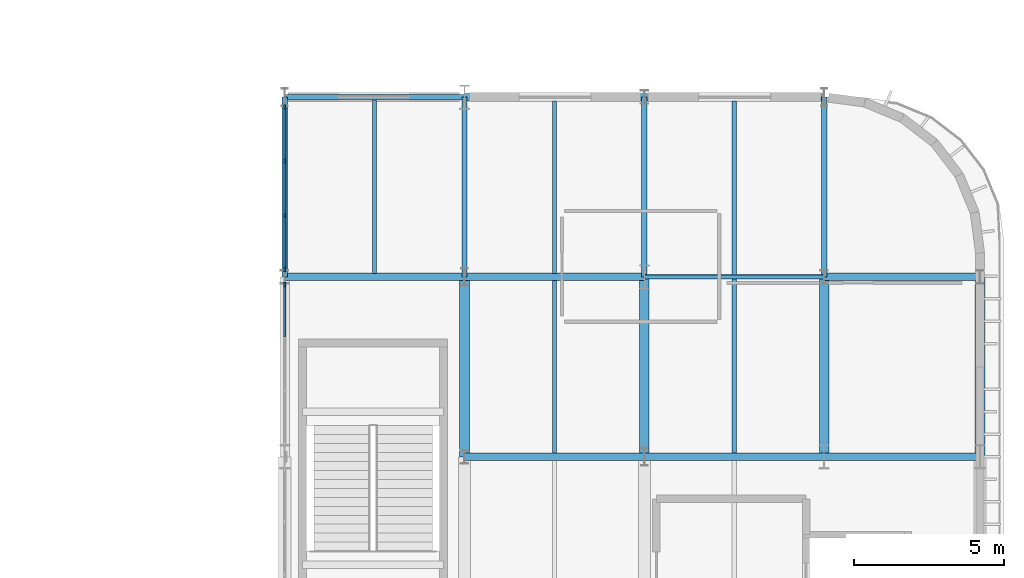
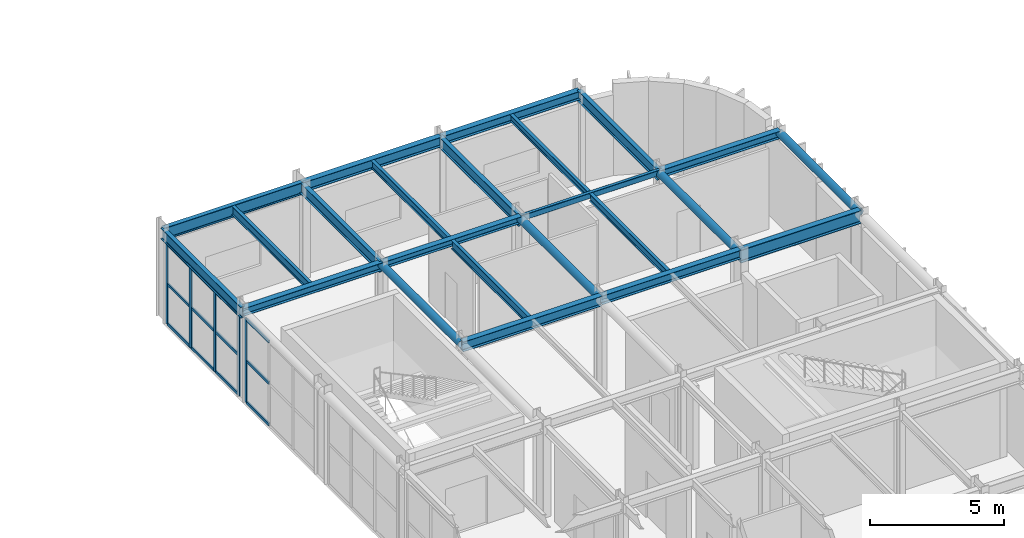
# One storey, part 44 of 84: 23 beams, 17 members, 2 elements without a shape of their own.
"""IFC4 building model written with IfcOpenShell, lengths in metres."""

from ifc_helpers import new_model, si_unit, direction, frame, origin, origin_2d, place, context, subcontext, project, spatial, rectangle, hollow_rectangle, hollow_circle, i_section, extrude, material, material_profile, profile_set, type_object, element, aggregate, save


model = new_model("IFC4")

# Units and contexts
model_context = context("Model", 3, precision=1e-05, world=origin(), true_north=direction((0.0, 1.0)))
body_context = subcontext(model_context, "Body", "Model", "MODEL_VIEW")
ifc_project = project(units=[si_unit("LENGTHUNIT", "METRE"), si_unit("AREAUNIT", "SQUARE_METRE"), si_unit("VOLUMEUNIT", "CUBIC_METRE"), si_unit("PLANEANGLEUNIT", "RADIAN"), si_unit("MASSUNIT", "GRAM", prefix="KILO")], contexts=[model_context])

# Site, building, storey
site_placement = place(None, origin())
site = spatial("IfcSite", under=ifc_project, at=site_placement, CompositionType="ELEMENT")
building_placement = place(site_placement, origin())
building = spatial("IfcBuilding", under=site, at=building_placement, Name="Varnakota Square Police Headquarters", CompositionType="ELEMENT")
storey_placement = place(building_placement, frame((0.0, 0.0, 13.5)))
storey = spatial("IfcBuildingStorey", under=building, at=storey_placement, Name="L03", CompositionType="ELEMENT", Elevation=13.5)

# Beams
ifc_material_1 = material(Name="Steel IS 2062 Grade 350", Category="steel")
ifc_material_profile_1 = material_profile(ifc_material_1, hollow_circle(Radius=0.161865234375, WallThickness=0.0126953125, at=origin_2d()), Name="CHS 323.9x12.7")
ifc_profile_set_1 = profile_set([ifc_material_profile_1], Name="Steel IS 2062 Grade 350")
beam_type_1 = type_object("IfcBeamType", Name="BM-ARC-CHS324", PredefinedType="BEAM", material=ifc_profile_set_1)
for number, where, z_axis, x_axis, name in (
    (1, (144.0, 33.0, 4.0380859375), (0.0, 1.0, 0.0), (-1.0, 0.0, 0.0), "BMG-L03-2732"),
    (2, (150.0, 33.0, 4.0380859375), (0.0, 1.0, 0.0), (-1.0, 0.0, 0.0), "BMG-L03-2746"),
    (3, (156.0, 33.0, 4.0380859375), (0.0, 1.0, 0.0), (-1.0, 0.0, 0.0), "BMG-L03-2751"),
    (4, (161.199951171875, 33.0, 4.0380859375), (0.0, 1.0, 0.0), (-1.0, 0.0, 0.0), "BMG-L03-2757"),
):
    element("IfcBeam", number, at=place(storey_placement, frame(where, z_axis=z_axis, x_axis=x_axis)), inside=storey, type_object=beam_type_1, Name=name, PredefinedType="BEAM", context=body_context, shape_type="SweptSolid", body=[
        extrude(hollow_circle(Radius=0.161865234375, WallThickness=0.0126953125, at=origin_2d()), origin(), (0.0, 0.0, 1.0), 6.0),
    ])
ifc_material_profile_2 = material_profile(ifc_material_1, hollow_rectangle(XDim=0.14990234375, YDim=0.25, WallThickness=0.010009765625, InnerFilletRadius=0.010009765625, OuterFilletRadius=0.02001953125, at=origin_2d()), Name="RHS 250x150x10")
ifc_profile_set_2 = profile_set([ifc_material_profile_2], Name="Steel IS 2062 Grade 350")
beam_type_2 = type_object("IfcBeamType", Name="BM-CBEAM-RHS250", PredefinedType="BEAM", material=ifc_profile_set_2)
beam_1_placement = place(storey_placement, frame((150.0, 39.0, 4.074951171875), z_axis=(1.0, 0.0, 0.0), x_axis=(0.0, 1.0, 0.0)))
element("IfcBeam", 5, at=beam_1_placement, inside=storey, type_object=beam_type_2, Name="BMG-L03-2481", PredefinedType="BEAM", context=body_context, shape_type="SweptSolid", body=[
    extrude(hollow_rectangle(XDim=0.14990234375, YDim=0.25, WallThickness=0.010009765625, InnerFilletRadius=0.010009765625, OuterFilletRadius=0.02001953125, at=origin_2d()), origin(), (0.0, 0.0, 1.0), 6.0),
])
ifc_material_profile_3 = material_profile(ifc_material_1, i_section(OverallWidth=0.25, OverallDepth=0.300048828125, WebThickness=0.009521484375, FlangeThickness=0.010498046875, FilletRadius=0.011962890625, at=origin_2d()), Name="ISHB 300")
ifc_profile_set_3 = profile_set([ifc_material_profile_3], Name="Steel IS 2062 Grade 350")
beam_type_3 = type_object("IfcBeamType", Name="BM-ISHB300", PredefinedType="BEAM", material=ifc_profile_set_3)
beam_2_placement = place(storey_placement, frame((144.0, 39.0, 4.050048828125), z_axis=(1.0, 0.0, 0.0), x_axis=(0.0, 1.0, 0.0)))
element("IfcBeam", 6, at=beam_2_placement, inside=storey, type_object=beam_type_3, Name="BMG-L03-2480", PredefinedType="BEAM", context=body_context, shape_type="SweptSolid", body=[
    extrude(i_section(OverallWidth=0.25, OverallDepth=0.300048828125, WebThickness=0.009521484375, FlangeThickness=0.010498046875, FilletRadius=0.011962890625, at=origin_2d()), origin(), (0.0, 0.0, 1.0), 6.0),
])
ifc_material_profile_4 = material_profile(ifc_material_1, i_section(OverallWidth=0.25, OverallDepth=0.35009765625, WebThickness=0.010009765625, FlangeThickness=0.01171875, FilletRadius=0.011962890625, at=origin_2d()), Name="ISHB 350")
ifc_profile_set_4 = profile_set([ifc_material_profile_4], Name="Steel IS 2062 Grade 350")
beam_type_4 = type_object("IfcBeamType", Name="BM-ISHB350", PredefinedType="BEAM", material=ifc_profile_set_4)
beam_3_placement = place(storey_placement, frame((138.0, 39.0, 4.02490234375), z_axis=(1.0, 0.0, 0.0), x_axis=(0.0, 1.0, 0.0)))
element("IfcBeam", 7, at=beam_3_placement, inside=storey, type_object=beam_type_4, Name="BMG-L03-2479", PredefinedType="BEAM", context=body_context, shape_type="SweptSolid", body=[
    extrude(i_section(OverallWidth=0.25, OverallDepth=0.35009765625, WebThickness=0.010009765625, FlangeThickness=0.01171875, FilletRadius=0.011962890625, at=origin_2d()), origin(), (0.0, 0.0, 1.0), 6.0),
])
beam_4_placement = place(storey_placement, frame((156.0, 39.0, 4.02490234375), z_axis=(1.0, 0.0, 0.0), x_axis=(0.0, 1.0, 0.0)))
element("IfcBeam", 8, at=beam_4_placement, inside=storey, type_object=beam_type_4, Name="BMG-L03-2482", PredefinedType="BEAM", context=body_context, shape_type="SweptSolid", body=[
    extrude(i_section(OverallWidth=0.25, OverallDepth=0.35009765625, WebThickness=0.010009765625, FlangeThickness=0.01171875, FilletRadius=0.011962890625, at=origin_2d()), origin(), (0.0, 0.0, 1.0), 5.199951171875),
])
ifc_material_profile_5 = material_profile(ifc_material_1, i_section(OverallWidth=0.25, OverallDepth=0.39990234375, WebThickness=0.010498046875, FlangeThickness=0.0126953125, FilletRadius=0.013916015625, at=origin_2d()), Name="ISHB 400")
ifc_profile_set_5 = profile_set([ifc_material_profile_5], Name="Steel IS 2062 Grade 350")
beam_type_5 = type_object("IfcBeamType", Name="BM-ISHB400", PredefinedType="BEAM", material=ifc_profile_set_5)
for number, where, z_axis, x_axis, name in (
    (9, (150.0, 33.0, 4.0), (1.0, 0.0, 0.0), (0.0, 1.0, 0.0), "BMG-L03-2471"),
    (10, (150.0, 45.0, 4.0), (1.0, 0.0, 0.0), (0.0, 1.0, 0.0), "BMG-L03-2490"),
):
    element("IfcBeam", number, at=place(storey_placement, frame(where, z_axis=z_axis, x_axis=x_axis)), inside=storey, type_object=beam_type_5, Name=name, PredefinedType="BEAM", context=body_context, shape_type="SweptSolid", body=[
        extrude(i_section(OverallWidth=0.25, OverallDepth=0.39990234375, WebThickness=0.010498046875, FlangeThickness=0.0126953125, FilletRadius=0.013916015625, at=origin_2d()), origin(), (0.0, 0.0, 1.0), 6.0),
    ])
ifc_material_profile_6 = material_profile(ifc_material_1, i_section(OverallWidth=0.25, OverallDepth=0.449951171875, WebThickness=0.01123046875, FlangeThickness=0.013671875, FilletRadius=0.014892578125, at=origin_2d()), Name="ISHB 450")
ifc_profile_set_6 = profile_set([ifc_material_profile_6], Name="Steel IS 2062 Grade 350")
beam_type_6 = type_object("IfcBeamType", Name="BM-ISHB450", PredefinedType="BEAM", material=ifc_profile_set_6)
for number, where, z_axis, x_axis, name in (
    (11, (144.0, 33.0, 3.97509765625), (1.0, 0.0, 0.0), (0.0, 1.0, 0.0), "BMG-L03-2470"),
    (12, (144.0, 45.0, 3.97509765625), (1.0, 0.0, 0.0), (0.0, 1.0, 0.0), "BMG-L03-2489"),
):
    element("IfcBeam", number, at=place(storey_placement, frame(where, z_axis=z_axis, x_axis=x_axis)), inside=storey, type_object=beam_type_6, Name=name, PredefinedType="BEAM", context=body_context, shape_type="SweptSolid", body=[
        extrude(i_section(OverallWidth=0.25, OverallDepth=0.449951171875, WebThickness=0.01123046875, FlangeThickness=0.013671875, FilletRadius=0.014892578125, at=origin_2d()), origin(), (0.0, 0.0, 1.0), 6.0),
    ])
ifc_material_profile_7 = material_profile(ifc_material_1, i_section(OverallWidth=0.139892578125, OverallDepth=0.300048828125, WebThickness=0.0078125, FlangeThickness=0.01318359375, FilletRadius=0.013916015625, at=origin_2d()), Name="ISMB 300")
ifc_profile_set_7 = profile_set([ifc_material_profile_7], Name="Steel IS 2062 Grade 350")
beam_type_7 = type_object("IfcBeamType", Name="BM-ISMB300", PredefinedType="JOIST", material=ifc_profile_set_7)
beam_5_placement = place(storey_placement, frame((153.0, 39.072998046875, 4.050048828125), z_axis=(0.0, 1.0, 0.0), x_axis=(-1.0, 0.0, 0.0)))
element("IfcBeam", 13, at=beam_5_placement, inside=storey, type_object=beam_type_7, Name="BMG-L03-2842", PredefinedType="JOIST", context=body_context, shape_type="SweptSolid", body=[
    extrude(i_section(OverallWidth=0.139892578125, OverallDepth=0.300048828125, WebThickness=0.0078125, FlangeThickness=0.01318359375, FilletRadius=0.013916015625, at=origin_2d()), origin(), (0.0, 0.0, 1.0), 5.803955078125),
])
ifc_material_profile_8 = material_profile(ifc_material_1, i_section(OverallWidth=0.139892578125, OverallDepth=0.35009765625, WebThickness=0.008056640625, FlangeThickness=0.01416015625, FilletRadius=0.013916015625, at=origin_2d()), Name="ISMB 350")
ifc_profile_set_8 = profile_set([ifc_material_profile_8], Name="Steel IS 2062 Grade 350")
beam_type_8 = type_object("IfcBeamType", Name="BM-ISMB350", PredefinedType="JOIST", material=ifc_profile_set_8)
beam_6_placement = place(storey_placement, frame((147.0, 39.123046875, 4.02490234375), z_axis=(0.0, 1.0, 0.0), x_axis=(-1.0, 0.0, 0.0)))
element("IfcBeam", 14, at=beam_6_placement, inside=storey, type_object=beam_type_8, Name="BMG-L03-2837", PredefinedType="JOIST", context=body_context, shape_type="SweptSolid", body=[
    extrude(i_section(OverallWidth=0.139892578125, OverallDepth=0.35009765625, WebThickness=0.008056640625, FlangeThickness=0.01416015625, FilletRadius=0.013916015625, at=origin_2d()), origin(), (0.0, 0.0, 1.0), 5.75390625),
])
beam_7_placement = place(storey_placement, frame((153.0, 33.123046875, 4.02490234375), z_axis=(0.0, 1.0, 0.0), x_axis=(-1.0, 0.0, 0.0)))
element("IfcBeam", 15, at=beam_7_placement, inside=storey, type_object=beam_type_8, Name="BMG-L03-2841", PredefinedType="JOIST", context=body_context, shape_type="SweptSolid", body=[
    extrude(i_section(OverallWidth=0.139892578125, OverallDepth=0.35009765625, WebThickness=0.008056640625, FlangeThickness=0.01416015625, FilletRadius=0.013916015625, at=origin_2d()), origin(), (0.0, 0.0, 1.0), 5.803955078125),
])
ifc_material_profile_9 = material_profile(ifc_material_1, i_section(OverallWidth=0.139892578125, OverallDepth=0.39990234375, WebThickness=0.0087890625, FlangeThickness=0.01611328125, FilletRadius=0.013916015625, at=origin_2d()), Name="ISMB 400")
ifc_profile_set_9 = profile_set([ifc_material_profile_9], Name="Steel IS 2062 Grade 350")
beam_type_9 = type_object("IfcBeamType", Name="BM-ISMB400", PredefinedType="JOIST", material=ifc_profile_set_9)
beam_8_placement = place(storey_placement, frame((141.0, 39.123046875, 4.0), z_axis=(0.0, 1.0, 0.0), x_axis=(-1.0, 0.0, 0.0)))
element("IfcBeam", 16, at=beam_8_placement, inside=storey, type_object=beam_type_9, Name="BMG-L03-2825", PredefinedType="JOIST", context=body_context, shape_type="SweptSolid", body=[
    extrude(i_section(OverallWidth=0.139892578125, OverallDepth=0.39990234375, WebThickness=0.0087890625, FlangeThickness=0.01611328125, FilletRadius=0.013916015625, at=origin_2d()), origin(), (0.0, 0.0, 1.0), 5.783935546875),
])
beam_9_placement = place(storey_placement, frame((147.0, 33.123046875, 4.0), z_axis=(0.0, 1.0, 0.0), x_axis=(-1.0, 0.0, 0.0)))
element("IfcBeam", 17, at=beam_9_placement, inside=storey, type_object=beam_type_9, Name="BMG-L03-2836", PredefinedType="JOIST", context=body_context, shape_type="SweptSolid", body=[
    extrude(i_section(OverallWidth=0.139892578125, OverallDepth=0.39990234375, WebThickness=0.0087890625, FlangeThickness=0.01611328125, FilletRadius=0.013916015625, at=origin_2d()), origin(), (0.0, 0.0, 1.0), 5.75390625),
])
ifc_material_profile_10 = material_profile(ifc_material_1, i_section(OverallWidth=0.179931640625, OverallDepth=0.5, WebThickness=0.01025390625, FlangeThickness=0.01708984375, FilletRadius=0.01708984375, at=origin_2d()), Name="ISMB 500")
ifc_profile_set_10 = profile_set([ifc_material_profile_10], Name="Steel IS 2062 Grade 350")
beam_type_10 = type_object("IfcBeamType", Name="BM-ISMB500", PredefinedType="BEAM", material=ifc_profile_set_10)
for number, where, z_axis, x_axis, name in (
    (18, (138.0, 39.0, 3.949951171875), (0.0, 1.0, 0.0), (-1.0, 0.0, 0.0), "BMG-L03-2719"),
    (19, (144.0, 39.0, 3.949951171875), (0.0, 1.0, 0.0), (-1.0, 0.0, 0.0), "BMG-L03-2733"),
    (20, (150.0, 39.0, 3.949951171875), (0.0, 1.0, 0.0), (-1.0, 0.0, 0.0), "BMG-L03-2747"),
    (21, (156.0, 39.0, 3.949951171875), (0.0, 1.0, 0.0), (-1.0, 0.0, 0.0), "BMG-L03-2752"),
):
    element("IfcBeam", number, at=place(storey_placement, frame(where, z_axis=z_axis, x_axis=x_axis)), inside=storey, type_object=beam_type_10, Name=name, PredefinedType="BEAM", context=body_context, shape_type="SweptSolid", body=[
        extrude(i_section(OverallWidth=0.179931640625, OverallDepth=0.5, WebThickness=0.01025390625, FlangeThickness=0.01708984375, FilletRadius=0.01708984375, at=origin_2d()), origin(), (0.0, 0.0, 1.0), 6.0),
    ])
ifc_material_profile_11 = material_profile(ifc_material_1, i_section(OverallWidth=0.18994140625, OverallDepth=0.550048828125, WebThickness=0.01123046875, FlangeThickness=0.019287109375, FilletRadius=0.01806640625, at=origin_2d()), Name="ISMB 550")
ifc_profile_set_11 = profile_set([ifc_material_profile_11], Name="Steel IS 2062 Grade 350")
beam_type_11 = type_object("IfcBeamType", Name="BM-ISMB550", PredefinedType="BEAM", material=ifc_profile_set_11)
beam_10_placement = place(storey_placement, frame((138.0, 45.0, 3.925048828125), z_axis=(1.0, 0.0, 0.0), x_axis=(0.0, 1.0, 0.0)))
element("IfcBeam", 22, at=beam_10_placement, inside=storey, type_object=beam_type_11, Name="BMG-L03-2488", PredefinedType="BEAM", context=body_context, shape_type="SweptSolid", body=[
    extrude(i_section(OverallWidth=0.18994140625, OverallDepth=0.550048828125, WebThickness=0.01123046875, FlangeThickness=0.019287109375, FilletRadius=0.01806640625, at=origin_2d()), origin(), (0.0, 0.0, 1.0), 6.0),
])
ifc_material_profile_12 = material_profile(ifc_material_1, i_section(OverallWidth=0.25, OverallDepth=0.60009765625, WebThickness=0.01171875, FlangeThickness=0.023681640625, FilletRadius=0.01708984375, at=origin_2d()), Name="ISWB 600")
ifc_profile_set_12 = profile_set([ifc_material_profile_12], Name="Steel IS 2062 Grade 350")
beam_type_12 = type_object("IfcBeamType", Name="BM-ISWB600", PredefinedType="BEAM", material=ifc_profile_set_12)
beam_11_placement = place(storey_placement, frame((156.0, 33.0, 3.89990234375), z_axis=(1.0, 0.0, 0.0), x_axis=(0.0, 1.0, 0.0)))
element("IfcBeam", 23, at=beam_11_placement, inside=storey, type_object=beam_type_12, Name="BMG-L03-2472", PredefinedType="BEAM", context=body_context, shape_type="SweptSolid", body=[
    extrude(i_section(OverallWidth=0.25, OverallDepth=0.60009765625, WebThickness=0.01171875, FlangeThickness=0.023681640625, FilletRadius=0.01708984375, at=origin_2d()), origin(), (0.0, 0.0, 1.0), 5.199951171875),
])

# Curtain wall, member
ifc_material_2 = material(Name="Anodised Aluminium Framing", Category="aluminium")
curtain_wall_type = type_object("IfcCurtainWallType", Name="CW-SYS-E", PredefinedType="NOTDEFINED", material=ifc_material_2)
curtain_wall_1_placement = place(storey_placement, origin())
curtain_wall_1 = element("IfcCurtainWall", 24, at=curtain_wall_1_placement, inside=storey, type_object=curtain_wall_type, Name="Unitised curtain wall CWG-L03-086", PredefinedType="NOTDEFINED")
ifc_material_3 = material(Name="Anodised Aluminium 6063-T6", Category="aluminium")
ifc_material_profile_13 = material_profile(ifc_material_3, rectangle(XDim=0.06494140625, YDim=0.159912109375, at=origin_2d()), Name="ALU MULLION 65x160")
ifc_profile_set_13 = profile_set([ifc_material_profile_13], Name="Anodised Aluminium 6063-T6")
member_type_1 = type_object("IfcMemberType", Name="CWM-150", PredefinedType="MULLION", material=ifc_profile_set_13)
member_1_placement = place(storey_placement, frame((138.0, 38.737548828125, 0.0), z_axis=(0.0, 0.0, 1.0), x_axis=(-1.0, 0.0, 0.0)))
member_1 = element("IfcMember", 25, at=member_1_placement, type_object=member_type_1, Name="CWG-L03-086 mullion 4", PredefinedType="MULLION", context=body_context, shape_type="SweptSolid", body=[
    extrude(rectangle(XDim=0.06494140625, YDim=0.159912109375, at=origin_2d()), origin(), (0.0, 0.0, 1.0), 3.840087890625),
])

# Curtain wall, members
curtain_wall_2_placement = place(storey_placement, origin())
curtain_wall_2 = element("IfcCurtainWall", 26, at=curtain_wall_2_placement, inside=storey, type_object=curtain_wall_type, Name="Unitised curtain wall CWG-L03-087", PredefinedType="NOTDEFINED")
member_2_placement = place(storey_placement, frame((138.0, 39.262451171875, 0.0), z_axis=(0.0, 0.0, 1.0), x_axis=(-1.0, 0.0, 0.0)))
member_2 = element("IfcMember", 27, at=member_2_placement, type_object=member_type_1, Name="CWG-L03-087 mullion 1", PredefinedType="MULLION", context=body_context, shape_type="SweptSolid", body=[
    extrude(rectangle(XDim=0.06494140625, YDim=0.159912109375, at=origin_2d()), origin(), (0.0, 0.0, 1.0), 3.68994140625),
])
member_3_placement = place(storey_placement, frame((138.0, 41.0517578125, 0.0), z_axis=(0.0, 0.0, 1.0), x_axis=(-1.0, 0.0, 0.0)))
member_3 = element("IfcMember", 28, at=member_3_placement, type_object=member_type_1, Name="CWG-L03-087 mullion 2", PredefinedType="MULLION", context=body_context, shape_type="SweptSolid", body=[
    extrude(rectangle(XDim=0.06494140625, YDim=0.159912109375, at=origin_2d()), origin(), (0.0, 0.0, 1.0), 3.68994140625),
])
member_4_placement = place(storey_placement, frame((138.0, 42.873291015625, 0.0), z_axis=(0.0, 0.0, 1.0), x_axis=(-1.0, 0.0, 0.0)))
member_4 = element("IfcMember", 29, at=member_4_placement, type_object=member_type_1, Name="CWG-L03-087 mullion 3", PredefinedType="MULLION", context=body_context, shape_type="SweptSolid", body=[
    extrude(rectangle(XDim=0.06494140625, YDim=0.159912109375, at=origin_2d()), origin(), (0.0, 0.0, 1.0), 3.68994140625),
])
member_5_placement = place(storey_placement, frame((138.0, 44.66259765625, 0.0), z_axis=(0.0, 0.0, 1.0), x_axis=(-1.0, 0.0, 0.0)))
member_5 = element("IfcMember", 30, at=member_5_placement, type_object=member_type_1, Name="CWG-L03-087 mullion 4", PredefinedType="MULLION", context=body_context, shape_type="SweptSolid", body=[
    extrude(rectangle(XDim=0.06494140625, YDim=0.159912109375, at=origin_2d()), origin(), (0.0, 0.0, 1.0), 3.68994140625),
])

# Member
ifc_material_profile_14 = material_profile(ifc_material_3, rectangle(XDim=0.06494140625, YDim=0.1298828125, at=origin_2d()), Name="ALU TRANSOM 65x130")
ifc_profile_set_14 = profile_set([ifc_material_profile_14], Name="Anodised Aluminium 6063-T6")
member_type_2 = type_object("IfcMemberType", Name="CWT-120", PredefinedType="USERDEFINED", material=ifc_profile_set_14)
member_6_placement = place(storey_placement, frame((138.0, 37.01416015625, 0.032470703125), z_axis=(0.0, 1.0, 0.0), x_axis=(-1.0, 0.0, 0.0)))
member_6 = element("IfcMember", 31, at=member_6_placement, type_object=member_type_2, Name="CWG-L03-086 transom 3.1", ObjectType="TRANSOM", PredefinedType="USERDEFINED", context=body_context, shape_type="SweptSolid", body=[
    extrude(rectangle(XDim=0.06494140625, YDim=0.1298828125, at=origin_2d()), origin(), (0.0, 0.0, 1.0), 1.69091796875),
])

member_7_placement = place(storey_placement, frame((138.0, 37.01416015625, 1.919921875), z_axis=(0.0, 1.0, 0.0), x_axis=(-1.0, 0.0, 0.0)))
member_7 = element("IfcMember", 32, at=member_7_placement, type_object=member_type_2, Name="CWG-L03-086 transom 3.2", ObjectType="TRANSOM", PredefinedType="USERDEFINED", context=body_context, shape_type="SweptSolid", body=[
    extrude(rectangle(XDim=0.06494140625, YDim=0.1298828125, at=origin_2d()), origin(), (0.0, 0.0, 1.0), 1.69091796875),
])

member_8_placement = place(storey_placement, frame((138.0, 37.01416015625, 3.8076171875), z_axis=(0.0, 1.0, 0.0), x_axis=(-1.0, 0.0, 0.0)))
member_8 = element("IfcMember", 33, at=member_8_placement, type_object=member_type_2, Name="CWG-L03-086 transom 3.3", ObjectType="TRANSOM", PredefinedType="USERDEFINED", context=body_context, shape_type="SweptSolid", body=[
    extrude(rectangle(XDim=0.06494140625, YDim=0.1298828125, at=origin_2d()), origin(), (0.0, 0.0, 1.0), 1.69091796875),
])

aggregate(curtain_wall_1, [member_1, member_6, member_7, member_8])

member_9_placement = place(storey_placement, frame((138.0, 39.294921875, 0.032470703125), z_axis=(0.0, 1.0, 0.0), x_axis=(-1.0, 0.0, 0.0)))
member_9 = element("IfcMember", 34, at=member_9_placement, type_object=member_type_2, Name="CWG-L03-087 transom 1.1", ObjectType="TRANSOM", PredefinedType="USERDEFINED", context=body_context, shape_type="SweptSolid", body=[
    extrude(rectangle(XDim=0.06494140625, YDim=0.1298828125, at=origin_2d()), origin(), (0.0, 0.0, 1.0), 1.724365234375),
])

member_10_placement = place(storey_placement, frame((138.0, 39.294921875, 1.844970703125), z_axis=(0.0, 1.0, 0.0), x_axis=(-1.0, 0.0, 0.0)))
member_10 = element("IfcMember", 35, at=member_10_placement, type_object=member_type_2, Name="CWG-L03-087 transom 1.2", ObjectType="TRANSOM", PredefinedType="USERDEFINED", context=body_context, shape_type="SweptSolid", body=[
    extrude(rectangle(XDim=0.06494140625, YDim=0.1298828125, at=origin_2d()), origin(), (0.0, 0.0, 1.0), 1.724365234375),
])

member_11_placement = place(storey_placement, frame((138.0, 39.294921875, 3.657470703125), z_axis=(0.0, 1.0, 0.0), x_axis=(-1.0, 0.0, 0.0)))
member_11 = element("IfcMember", 36, at=member_11_placement, type_object=member_type_2, Name="CWG-L03-087 transom 1.3", ObjectType="TRANSOM", PredefinedType="USERDEFINED", context=body_context, shape_type="SweptSolid", body=[
    extrude(rectangle(XDim=0.06494140625, YDim=0.1298828125, at=origin_2d()), origin(), (0.0, 0.0, 1.0), 1.724365234375),
])

member_12_placement = place(storey_placement, frame((138.0, 41.084228515625, 0.032470703125), z_axis=(0.0, 1.0, 0.0), x_axis=(-1.0, 0.0, 0.0)))
member_12 = element("IfcMember", 37, at=member_12_placement, type_object=member_type_2, Name="CWG-L03-087 transom 2.1", ObjectType="TRANSOM", PredefinedType="USERDEFINED", context=body_context, shape_type="SweptSolid", body=[
    extrude(rectangle(XDim=0.06494140625, YDim=0.1298828125, at=origin_2d()), origin(), (0.0, 0.0, 1.0), 1.756591796875),
])

member_13_placement = place(storey_placement, frame((138.0, 41.084228515625, 1.844970703125), z_axis=(0.0, 1.0, 0.0), x_axis=(-1.0, 0.0, 0.0)))
member_13 = element("IfcMember", 38, at=member_13_placement, type_object=member_type_2, Name="CWG-L03-087 transom 2.2", ObjectType="TRANSOM", PredefinedType="USERDEFINED", context=body_context, shape_type="SweptSolid", body=[
    extrude(rectangle(XDim=0.06494140625, YDim=0.1298828125, at=origin_2d()), origin(), (0.0, 0.0, 1.0), 1.756591796875),
])

member_14_placement = place(storey_placement, frame((138.0, 41.084228515625, 3.657470703125), z_axis=(0.0, 1.0, 0.0), x_axis=(-1.0, 0.0, 0.0)))
member_14 = element("IfcMember", 39, at=member_14_placement, type_object=member_type_2, Name="CWG-L03-087 transom 2.3", ObjectType="TRANSOM", PredefinedType="USERDEFINED", context=body_context, shape_type="SweptSolid", body=[
    extrude(rectangle(XDim=0.06494140625, YDim=0.1298828125, at=origin_2d()), origin(), (0.0, 0.0, 1.0), 1.756591796875),
])

member_15_placement = place(storey_placement, frame((138.0, 42.90576171875, 0.032470703125), z_axis=(0.0, 1.0, 0.0), x_axis=(-1.0, 0.0, 0.0)))
member_15 = element("IfcMember", 40, at=member_15_placement, type_object=member_type_2, Name="CWG-L03-087 transom 3.1", ObjectType="TRANSOM", PredefinedType="USERDEFINED", context=body_context, shape_type="SweptSolid", body=[
    extrude(rectangle(XDim=0.06494140625, YDim=0.1298828125, at=origin_2d()), origin(), (0.0, 0.0, 1.0), 1.72412109375),
])

member_16_placement = place(storey_placement, frame((138.0, 42.90576171875, 1.844970703125), z_axis=(0.0, 1.0, 0.0), x_axis=(-1.0, 0.0, 0.0)))
member_16 = element("IfcMember", 41, at=member_16_placement, type_object=member_type_2, Name="CWG-L03-087 transom 3.2", ObjectType="TRANSOM", PredefinedType="USERDEFINED", context=body_context, shape_type="SweptSolid", body=[
    extrude(rectangle(XDim=0.06494140625, YDim=0.1298828125, at=origin_2d()), origin(), (0.0, 0.0, 1.0), 1.72412109375),
])

member_17_placement = place(storey_placement, frame((138.0, 42.90576171875, 3.657470703125), z_axis=(0.0, 1.0, 0.0), x_axis=(-1.0, 0.0, 0.0)))
member_17 = element("IfcMember", 42, at=member_17_placement, type_object=member_type_2, Name="CWG-L03-087 transom 3.3", ObjectType="TRANSOM", PredefinedType="USERDEFINED", context=body_context, shape_type="SweptSolid", body=[
    extrude(rectangle(XDim=0.06494140625, YDim=0.1298828125, at=origin_2d()), origin(), (0.0, 0.0, 1.0), 1.72412109375),
])

aggregate(curtain_wall_2, [member_2, member_3, member_4, member_5, member_9, member_10, member_11, member_12, member_13, member_14, member_15, member_16, member_17])

save(model, "model.ifc")
